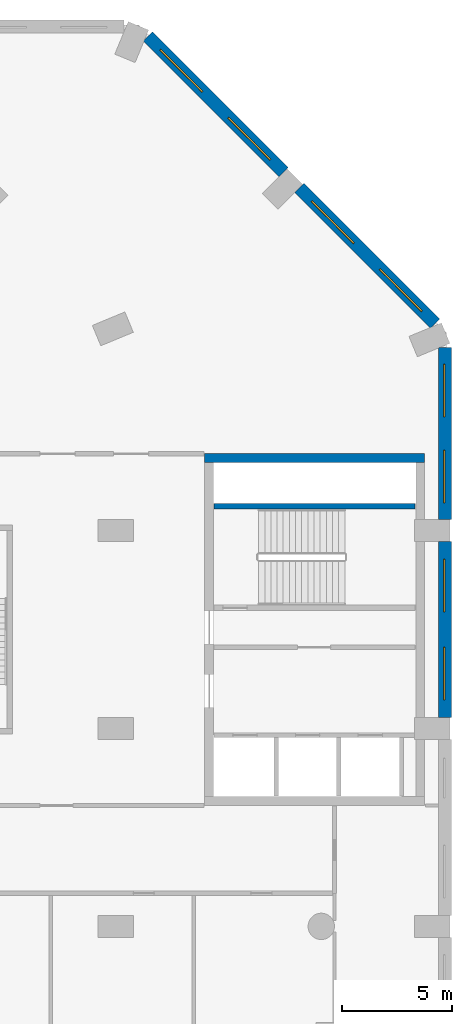
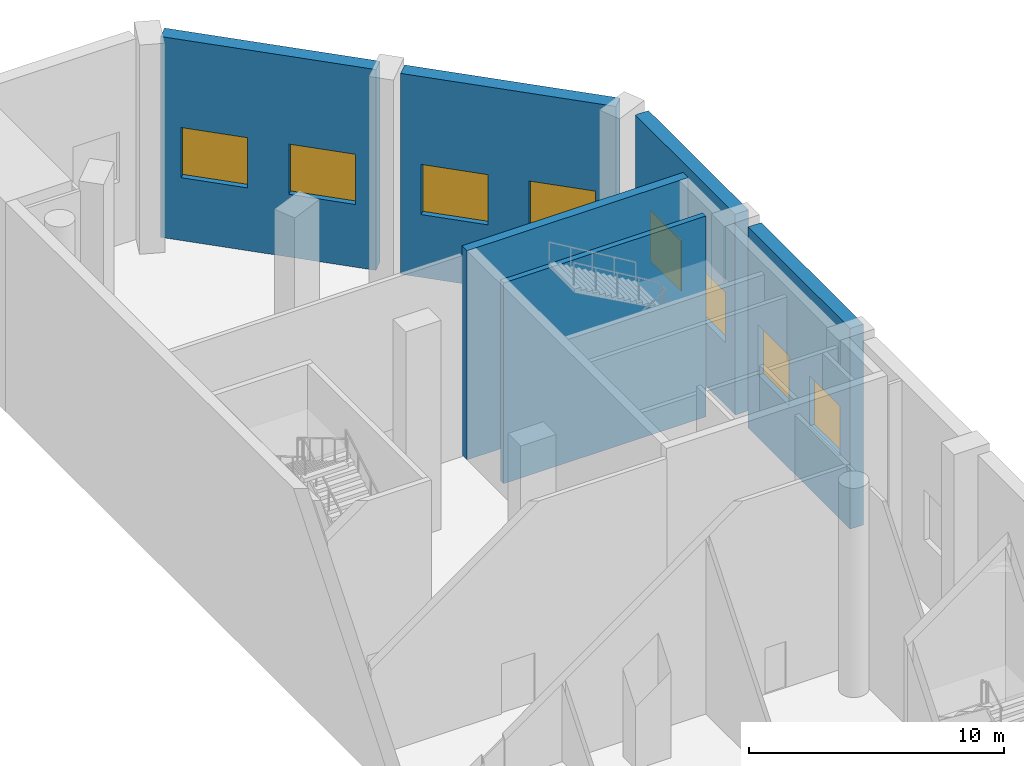
# One storey, part 9 of 17: 8 windows, 6 walls, 8 openings.
"""IFC4 building model written with IfcOpenShell, lengths in metres."""

from ifc_helpers import new_model, si_unit, direction, frame, frame_2d, origin, place, context, subcontext, project, spatial, rectangle, extrude, material, layer, layer_set, type_object, element, fill, save


model = new_model("IFC4")

# Units and contexts
model_context = context("Model", 3, precision=1e-05, world=origin(), true_north=direction((0.0, 1.0)))
body_context = subcontext(model_context, "Body", "Model", "MODEL_VIEW")
ifc_project = project(units=[si_unit("LENGTHUNIT", "METRE"), si_unit("AREAUNIT", "SQUARE_METRE"), si_unit("VOLUMEUNIT", "CUBIC_METRE"), si_unit("PLANEANGLEUNIT", "RADIAN"), si_unit("MASSUNIT", "GRAM", prefix="KILO")], contexts=[model_context])

# Site, building, storey
site_placement = place(None, origin())
site = spatial("IfcSite", under=ifc_project, at=site_placement, CompositionType="ELEMENT")
building_placement = place(site_placement, origin())
building = spatial("IfcBuilding", under=site, at=building_placement, Name="Cypress Arch Tower", CompositionType="ELEMENT")
storey_placement = place(building_placement, frame((0.0, 0.0, 19.0)))
storey = spatial("IfcBuildingStorey", under=building, at=storey_placement, Name="L02", CompositionType="ELEMENT", Elevation=19.0)

# Wall, openings, windows
ifc_material_1 = material(Name="Brick (red buff blend) on blockwork backing", Category="masonry")
ifc_layer_1 = layer(ifc_material_1, 0.60009765625)
ifc_layer_set_1 = layer_set([ifc_layer_1], Name="Brick base wall BW600")
wall_type_1 = type_object("IfcWallType", Name="Brick base wall BW600", PredefinedType="ELEMENTEDWALL", material=ifc_layer_set_1)
wall_1_placement = place(storey_placement, frame((38.925048828125, -4.0, 0.0), z_axis=(0.0, 0.0, 1.0), x_axis=(0.0, 1.0, 0.0)))
wall_1 = element("IfcWall", 1, at=wall_1_placement, inside=storey, type_object=wall_type_1, Name="Brick wall L02 P01.3", PredefinedType="ELEMENTEDWALL", context=body_context, shape_type="SweptSolid", body=[
    extrude(rectangle(XDim=8.0, YDim=0.60009765625, at=frame_2d((4.0, 0.0))), origin(), (0.0, 0.0, 1.0), 9.60009765625),
])
opening_1_placement = place(wall_1_placement, frame((0.800048828125, 0.0, 3.0)))
opening_1 = element("IfcOpeningElement", 2, at=opening_1_placement, cuts=wall_1, Name="Opening W240P", PredefinedType="OPENING", context=body_context, shape_type="SweptSolid", body=[
    extrude(rectangle(XDim=2.39990234375, YDim=2.39990234375, at=frame_2d((1.199951171875, 1.199951171875))), frame((0.0, 0.31005859375, 0.0), z_axis=(0.0, -1.0, 0.0), x_axis=(1.0, 0.0, 0.0)), (0.0, 0.0, 1.0), 0.6201171875),
])
opening_2_placement = place(wall_1_placement, frame((4.800048828125, 0.0, 3.0)))
opening_2 = element("IfcOpeningElement", 3, at=opening_2_placement, cuts=wall_1, Name="Opening W240P", PredefinedType="OPENING", context=body_context, shape_type="SweptSolid", body=[
    extrude(rectangle(XDim=2.39990234375, YDim=2.39990234375, at=frame_2d((1.199951171875, 1.199951171875))), frame((0.0, 0.31005859375, 0.0), z_axis=(0.0, -1.0, 0.0), x_axis=(1.0, 0.0, 0.0)), (0.0, 0.0, 1.0), 0.6201171875),
])
ifc_material_2 = material(Name="Anodised aluminium, bronze finish, clear low-emissivity double glazing", Category="aluminium")
window_type_1 = type_object("IfcWindowType", Name="Window Podium 2400x2400", PartitioningType="SINGLE_PANEL", PredefinedType="WINDOW", material=ifc_material_2)
window_1_placement = place(opening_1_placement, origin())
window_1 = element("IfcWindow", 4, at=window_1_placement, inside=storey, type_object=window_type_1, Name="Window L02 P01.3.1", OverallHeight=2.39990234375, OverallWidth=2.39990234375, PartitioningType="SINGLE_PANEL", PredefinedType="WINDOW", context=body_context, shape_type="SweptSolid", body=[
    extrude(rectangle(XDim=2.39990234375, YDim=2.39990234375, at=frame_2d((1.199951171875, 1.199951171875))), frame((0.0, 0.06005859375, 0.0), z_axis=(0.0, -1.0, 0.0), x_axis=(1.0, 0.0, 0.0)), (0.0, 0.0, 1.0), 0.06005859375),
])
fill(opening_1, window_1)
window_2_placement = place(opening_2_placement, origin())
window_2 = element("IfcWindow", 5, at=window_2_placement, inside=storey, type_object=window_type_1, Name="Window L02 P01.3.2", OverallHeight=2.39990234375, OverallWidth=2.39990234375, PartitioningType="SINGLE_PANEL", PredefinedType="WINDOW", context=body_context, shape_type="SweptSolid", body=[
    extrude(rectangle(XDim=2.39990234375, YDim=2.39990234375, at=frame_2d((1.199951171875, 1.199951171875))), frame((0.0, 0.06005859375, 0.0), z_axis=(0.0, -1.0, 0.0), x_axis=(1.0, 0.0, 0.0)), (0.0, 0.0, 1.0), 0.06005859375),
])
fill(opening_2, window_2)

wall_2_placement = place(storey_placement, frame((38.925048828125, 5.0, 0.0), z_axis=(0.0, 0.0, 1.0), x_axis=(0.0, 1.0, 0.0)))
wall_2 = element("IfcWall", 6, at=wall_2_placement, inside=storey, type_object=wall_type_1, Name="Brick wall L02 P01.4", PredefinedType="ELEMENTEDWALL", context=body_context, shape_type="SweptSolid", body=[
    extrude(rectangle(XDim=7.83447265625, YDim=0.60009765625, at=frame_2d((3.917236328125, 0.0))), origin(), (0.0, 0.0, 1.0), 9.60009765625),
])
opening_3_placement = place(wall_2_placement, frame((0.758544921875, 0.0, 3.0)))
opening_3 = element("IfcOpeningElement", 7, at=opening_3_placement, cuts=wall_2, Name="Opening W240P", PredefinedType="OPENING", context=body_context, shape_type="SweptSolid", body=[
    extrude(rectangle(XDim=2.39990234375, YDim=2.39990234375, at=frame_2d((1.199951171875, 1.199951171875))), frame((0.0, 0.31005859375, 0.0), z_axis=(0.0, -1.0, 0.0), x_axis=(1.0, 0.0, 0.0)), (0.0, 0.0, 1.0), 0.6201171875),
])
opening_4_placement = place(wall_2_placement, frame((4.676025390625, 0.0, 3.0)))
opening_4 = element("IfcOpeningElement", 8, at=opening_4_placement, cuts=wall_2, Name="Opening W240P", PredefinedType="OPENING", context=body_context, shape_type="SweptSolid", body=[
    extrude(rectangle(XDim=2.39990234375, YDim=2.39990234375, at=frame_2d((1.199951171875, 1.199951171875))), frame((0.0, 0.31005859375, 0.0), z_axis=(0.0, -1.0, 0.0), x_axis=(1.0, 0.0, 0.0)), (0.0, 0.0, 1.0), 0.6201171875),
])
window_3_placement = place(opening_3_placement, origin())
window_3 = element("IfcWindow", 9, at=window_3_placement, inside=storey, type_object=window_type_1, Name="Window L02 P01.4.1", OverallHeight=2.39990234375, OverallWidth=2.39990234375, PartitioningType="SINGLE_PANEL", PredefinedType="WINDOW", context=body_context, shape_type="SweptSolid", body=[
    extrude(rectangle(XDim=2.39990234375, YDim=2.39990234375, at=frame_2d((1.199951171875, 1.199951171875))), frame((0.0, 0.06005859375, 0.0), z_axis=(0.0, -1.0, 0.0), x_axis=(1.0, 0.0, 0.0)), (0.0, 0.0, 1.0), 0.06005859375),
])
fill(opening_3, window_3)
window_4_placement = place(opening_4_placement, origin())
window_4 = element("IfcWindow", 10, at=window_4_placement, inside=storey, type_object=window_type_1, Name="Window L02 P01.4.2", OverallHeight=2.39990234375, OverallWidth=2.39990234375, PartitioningType="SINGLE_PANEL", PredefinedType="WINDOW", context=body_context, shape_type="SweptSolid", body=[
    extrude(rectangle(XDim=2.39990234375, YDim=2.39990234375, at=frame_2d((1.199951171875, 1.199951171875))), frame((0.0, 0.06005859375, 0.0), z_axis=(0.0, -1.0, 0.0), x_axis=(1.0, 0.0, 0.0)), (0.0, 0.0, 1.0), 0.06005859375),
])
fill(opening_4, window_4)

wall_3_placement = place(storey_placement, frame((38.476318359375, 13.91748046875, 0.0), z_axis=(0.0, 0.0, 1.0), x_axis=(-0.707092804673, 0.707120757424, 0.0)))
wall_3 = element("IfcWall", 11, at=wall_3_placement, inside=storey, type_object=wall_type_1, Name="Brick wall L02 P02.0", PredefinedType="ELEMENTEDWALL", context=body_context, shape_type="SweptSolid", body=[
    extrude(rectangle(XDim=8.734130859375, YDim=0.60009765625, at=frame_2d((4.3671875, 0.0))), origin(), (0.0, 0.0, 1.0), 9.60009765625),
])
opening_5_placement = place(wall_3_placement, frame((0.83349609375, 0.0, 3.0)))
opening_5 = element("IfcOpeningElement", 12, at=opening_5_placement, cuts=wall_3, Name="Opening W270P", PredefinedType="OPENING", context=body_context, shape_type="SweptSolid", body=[
    extrude(rectangle(XDim=2.699951171875, YDim=2.39990234375, at=frame_2d((1.35009765625, 1.199951171875))), frame((0.0, 0.31005859375, 0.0), z_axis=(0.0, -1.0, 0.0), x_axis=(1.0, 0.0, 0.0)), (0.0, 0.0, 1.0), 0.6201171875),
])
opening_6_placement = place(wall_3_placement, frame((5.200439453125, 0.0, 3.0)))
opening_6 = element("IfcOpeningElement", 13, at=opening_6_placement, cuts=wall_3, Name="Opening W270P", PredefinedType="OPENING", context=body_context, shape_type="SweptSolid", body=[
    extrude(rectangle(XDim=2.699951171875, YDim=2.39990234375, at=frame_2d((1.35009765625, 1.199951171875))), frame((0.0, 0.31005859375, 0.0), z_axis=(0.0, -1.0, 0.0), x_axis=(1.0, 0.0, 0.0)), (0.0, 0.0, 1.0), 0.6201171875),
])
ifc_material_3 = material(Name="Anodised aluminium, bronze finish, clear low-emissivity double glazing", Category="aluminium")
window_type_2 = type_object("IfcWindowType", Name="Window Podium 2700x2400", PartitioningType="SINGLE_PANEL", PredefinedType="WINDOW", material=ifc_material_3)
window_5_placement = place(opening_5_placement, origin())
window_5 = element("IfcWindow", 14, at=window_5_placement, inside=storey, type_object=window_type_2, Name="Window L02 P02.0.1", OverallHeight=2.39990234375, OverallWidth=2.699951171875, PartitioningType="SINGLE_PANEL", PredefinedType="WINDOW", context=body_context, shape_type="SweptSolid", body=[
    extrude(rectangle(XDim=2.699951171875, YDim=2.39990234375, at=frame_2d((1.35009765625, 1.199951171875))), frame((0.0, 0.06005859375, 0.0), z_axis=(0.0, -1.0, 0.0), x_axis=(1.0, 0.0, 0.0)), (0.0, 0.0, 1.0), 0.06005859375),
])
fill(opening_5, window_5)
window_6_placement = place(opening_6_placement, origin())
window_6 = element("IfcWindow", 15, at=window_6_placement, inside=storey, type_object=window_type_2, Name="Window L02 P02.0.2", OverallHeight=2.39990234375, OverallWidth=2.699951171875, PartitioningType="SINGLE_PANEL", PredefinedType="WINDOW", context=body_context, shape_type="SweptSolid", body=[
    extrude(rectangle(XDim=2.699951171875, YDim=2.39990234375, at=frame_2d((1.35009765625, 1.199951171875))), frame((0.0, 0.06005859375, 0.0), z_axis=(0.0, -1.0, 0.0), x_axis=(1.0, 0.0, 0.0)), (0.0, 0.0, 1.0), 0.06005859375),
])
fill(opening_6, window_6)

wall_4_placement = place(storey_placement, frame((31.593505859375, 20.800537109375, 0.0), z_axis=(0.0, 0.0, 1.0), x_axis=(-0.707120757424, 0.707092804673, 0.0)))
wall_4 = element("IfcWall", 16, at=wall_4_placement, inside=storey, type_object=wall_type_1, Name="Brick wall L02 P02.1", PredefinedType="ELEMENTEDWALL", context=body_context, shape_type="SweptSolid", body=[
    extrude(rectangle(XDim=8.734130859375, YDim=0.60009765625, at=frame_2d((4.3671875, 0.0))), origin(), (0.0, 0.0, 1.0), 9.60009765625),
])
opening_7_placement = place(wall_4_placement, frame((0.83349609375, 0.0, 3.0)))
opening_7 = element("IfcOpeningElement", 17, at=opening_7_placement, cuts=wall_4, Name="Opening W270P", PredefinedType="OPENING", context=body_context, shape_type="SweptSolid", body=[
    extrude(rectangle(XDim=2.699951171875, YDim=2.39990234375, at=frame_2d((1.35009765625, 1.199951171875))), frame((0.0, 0.31005859375, 0.0), z_axis=(0.0, -1.0, 0.0), x_axis=(1.0, 0.0, 0.0)), (0.0, 0.0, 1.0), 0.6201171875),
])
opening_8_placement = place(wall_4_placement, frame((5.200439453125, 0.0, 3.0)))
opening_8 = element("IfcOpeningElement", 18, at=opening_8_placement, cuts=wall_4, Name="Opening W270P", PredefinedType="OPENING", context=body_context, shape_type="SweptSolid", body=[
    extrude(rectangle(XDim=2.699951171875, YDim=2.39990234375, at=frame_2d((1.35009765625, 1.199951171875))), frame((0.0, 0.31005859375, 0.0), z_axis=(0.0, -1.0, 0.0), x_axis=(1.0, 0.0, 0.0)), (0.0, 0.0, 1.0), 0.6201171875),
])
window_7_placement = place(opening_7_placement, origin())
window_7 = element("IfcWindow", 19, at=window_7_placement, inside=storey, type_object=window_type_2, Name="Window L02 P02.1.1", OverallHeight=2.39990234375, OverallWidth=2.699951171875, PartitioningType="SINGLE_PANEL", PredefinedType="WINDOW", context=body_context, shape_type="SweptSolid", body=[
    extrude(rectangle(XDim=2.699951171875, YDim=2.39990234375, at=frame_2d((1.35009765625, 1.199951171875))), frame((0.0, 0.06005859375, 0.0), z_axis=(0.0, -1.0, 0.0), x_axis=(1.0, 0.0, 0.0)), (0.0, 0.0, 1.0), 0.06005859375),
])
fill(opening_7, window_7)
window_8_placement = place(opening_8_placement, origin())
window_8 = element("IfcWindow", 20, at=window_8_placement, inside=storey, type_object=window_type_2, Name="Window L02 P02.1.2", OverallHeight=2.39990234375, OverallWidth=2.699951171875, PartitioningType="SINGLE_PANEL", PredefinedType="WINDOW", context=body_context, shape_type="SweptSolid", body=[
    extrude(rectangle(XDim=2.699951171875, YDim=2.39990234375, at=frame_2d((1.35009765625, 1.199951171875))), frame((0.0, 0.06005859375, 0.0), z_axis=(0.0, -1.0, 0.0), x_axis=(1.0, 0.0, 0.0)), (0.0, 0.0, 1.0), 0.06005859375),
])
fill(opening_8, window_8)

# Walls
ifc_material_4 = material(Name="Concrete C60/75", Category="concrete")
ifc_layer_2 = layer(ifc_material_4, 0.39990234375)
ifc_layer_set_2 = layer_set([ifc_layer_2], Name="East core wall CW400 C60/75")
wall_type_2 = type_object("IfcWallType", Name="East core wall CW400 C60/75", PredefinedType="SHEAR", material=ifc_layer_set_2)
wall_5_placement = place(storey_placement, frame((28.0, 7.800048828125, 0.0), z_axis=(0.0, 0.0, 1.0), x_axis=(1.0, 0.0, 0.0)))
element("IfcWall", 21, at=wall_5_placement, inside=storey, type_object=wall_type_2, Name="East core wall", PredefinedType="SHEAR", context=body_context, shape_type="SweptSolid", body=[
    extrude(rectangle(XDim=10.0, YDim=0.39990234375, at=frame_2d((5.0, 0.0))), origin(), (0.0, 0.0, 1.0), 10.0),
])
ifc_material_5 = material(Name="Concrete C50/60", Category="concrete")
ifc_layer_3 = layer(ifc_material_5, 0.25)
ifc_layer_set_3 = layer_set([ifc_layer_3], Name="Stair enclosure wall SW250")
wall_type_3 = type_object("IfcWallType", Name="Stair enclosure wall SW250", PredefinedType="SHEAR", material=ifc_layer_set_3)
wall_6_placement = place(storey_placement, frame((28.429931640625, 5.60009765625, 0.0), z_axis=(0.0, 0.0, 1.0), x_axis=(1.0, 0.0, 0.0)))
element("IfcWall", 22, at=wall_6_placement, inside=storey, type_object=wall_type_3, Name="Stair enclosure wall", PredefinedType="SHEAR", context=body_context, shape_type="SweptSolid", body=[
    extrude(rectangle(XDim=9.14013671875, YDim=0.25, at=frame_2d((4.570068359375, 0.0))), origin(), (0.0, 0.0, 1.0), 9.597900390625),
])

save(model, "model.ifc")
